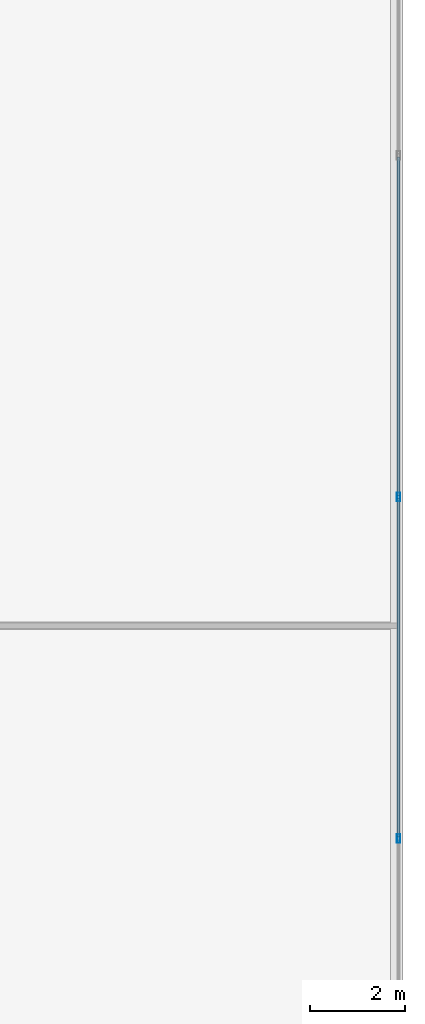
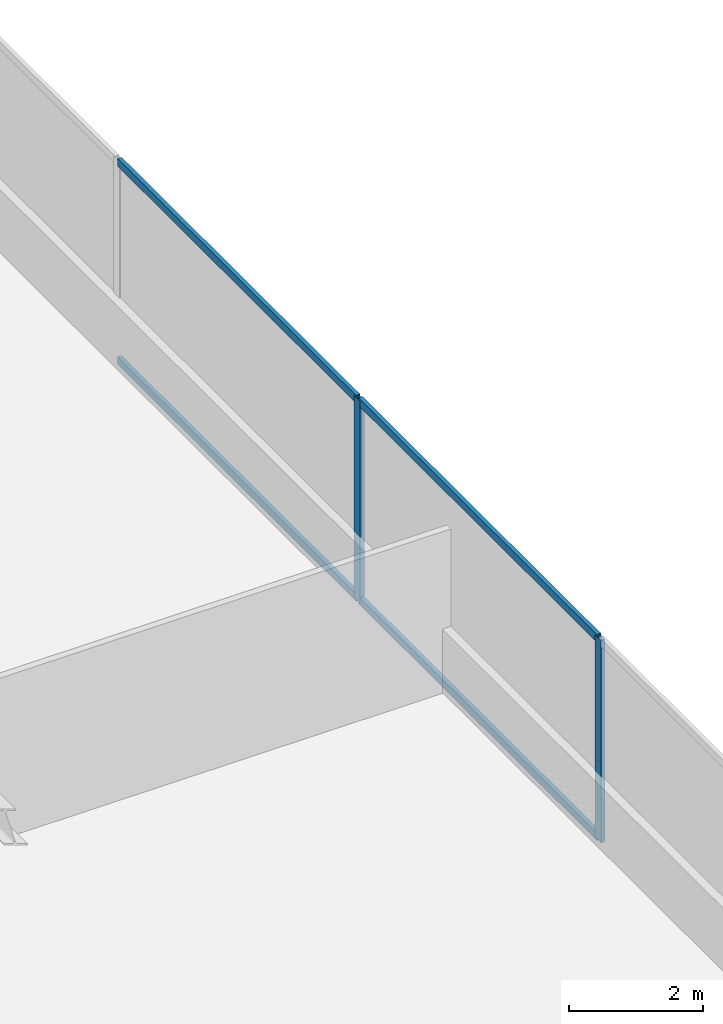
# One storey, part 14 of 30: 6 members, 1 element without a shape of its own.
"""IFC4 building model written with IfcOpenShell, lengths in metres."""

from ifc_helpers import new_model, si_unit, direction, frame, origin, origin_2d, place, context, subcontext, project, spatial, hollow_rectangle, extrude, source, transform, mapped, material, material_profile, profile_set, type_object, type_shapes, element, aggregate, save


model = new_model("IFC4")

# Units and contexts
model_context = context("Model", 3, precision=1e-05, world=origin(), true_north=direction((0.0, 1.0)))
body_context = subcontext(model_context, "Body", "Model", "MODEL_VIEW")
ifc_project = project(units=[si_unit("LENGTHUNIT", "METRE"), si_unit("AREAUNIT", "SQUARE_METRE"), si_unit("VOLUMEUNIT", "CUBIC_METRE"), si_unit("PLANEANGLEUNIT", "RADIAN"), si_unit("MASSUNIT", "GRAM", prefix="KILO")], contexts=[model_context])

# Site, building, storey
site_placement = place(None, origin())
site = spatial("IfcSite", under=ifc_project, at=site_placement, CompositionType="ELEMENT")
building_placement = place(site_placement, origin())
building = spatial("IfcBuilding", under=site, at=building_placement, Name="Krantzveldt Concourse Tower", CompositionType="ELEMENT")
storey_placement = place(building_placement, frame((0.0, 0.0, 25.0)))
storey = spatial("IfcBuildingStorey", under=building, at=storey_placement, Name="L05", CompositionType="ELEMENT", Elevation=25.0)

# Curtain wall, members
ifc_material = material(Name="Anodised aluminium 6063-T6", Category="aluminium")
curtain_wall_type = type_object("IfcCurtainWallType", Name="CW2", PredefinedType="USERDEFINED", material=ifc_material)
curtain_wall_placement = place(storey_placement, origin())
curtain_wall = element("IfcCurtainWall", 1, at=curtain_wall_placement, inside=storey, type_object=curtain_wall_type, Name="CW-L05-F07", ObjectType="UNITISED CURTAIN WALL", PredefinedType="USERDEFINED")
ifc_material_profile_1 = material_profile(ifc_material, hollow_rectangle(XDim=0.070068359375, YDim=0.179931640625, WallThickness=0.0048828125, at=origin_2d()), Name="Anodised aluminium 6063-T6", Category="aluminium")
ifc_profile_set_1 = profile_set([ifc_material_profile_1], Name="Anodised aluminium 6063-T6 - ALU-MULL 180x70x5")
member_type_1 = type_object("IfcMemberType", Name="CW-MUL-180", PredefinedType="MULLION", material=ifc_profile_set_1)
shared_shape_1 = source(origin(), body_context, "Body", "SweptSolid", [
    extrude(hollow_rectangle(XDim=0.070068359375, YDim=0.179931640625, WallThickness=0.0048828125, at=origin_2d()), origin(), (0.0, 0.0, 1.0), 3.669921875),
])
type_shapes(member_type_1, [shared_shape_1])
member_1_placement = place(storey_placement, frame((60.909912109375, 19.533447265625, 0.0), z_axis=(0.0, 0.0, 1.0), x_axis=(-1.0, 0.0, 0.0)))
member_1 = element("IfcMember", 2, at=member_1_placement, type_object=member_type_1, Name="CW-Z12 mullion 3", PredefinedType="MULLION", context=body_context, shape_type="MappedRepresentation", body=[
    mapped(shared_shape_1, transform((0.0, 0.0, 0.0), x_axis=(1.0, 0.0, 0.0), y_axis=(0.0, 1.0, 0.0), z_axis=(0.0, 0.0, 1.0), scale=1.0)),
])
member_2_placement = place(storey_placement, frame((60.909912109375, 26.699951171875, 0.0), z_axis=(0.0, 0.0, 1.0), x_axis=(-1.0, 0.0, 0.0)))
member_2 = element("IfcMember", 3, at=member_2_placement, type_object=member_type_1, Name="CW-Z12 mullion 4", PredefinedType="MULLION", context=body_context, shape_type="MappedRepresentation", body=[
    mapped(shared_shape_1, transform((0.0, 0.0, 0.0), x_axis=(1.0, 0.0, 0.0), y_axis=(0.0, 1.0, 0.0), z_axis=(0.0, 0.0, 1.0), scale=1.0)),
])
ifc_material_profile_2 = material_profile(ifc_material, hollow_rectangle(XDim=0.070068359375, YDim=0.139892578125, WallThickness=0.0048828125, at=origin_2d()), Name="Anodised aluminium 6063-T6", Category="aluminium")
ifc_profile_set_2 = profile_set([ifc_material_profile_2], Name="Anodised aluminium 6063-T6 - ALU-TRAN 140x70x5")
member_type_2 = type_object("IfcMemberType", Name="CW-TRN-150", PredefinedType="USERDEFINED", material=ifc_profile_set_2)
shared_shape_2 = source(origin(), body_context, "Body", "SweptSolid", [
    extrude(hollow_rectangle(XDim=0.070068359375, YDim=0.139892578125, WallThickness=0.0048828125, at=origin_2d()), origin(), (0.0, 0.0, 1.0), 7.0966796875),
])
type_shapes(member_type_2, [shared_shape_2])
member_3_placement = place(storey_placement, frame((60.909912109375, 19.568359375, 0.034912109375), z_axis=(0.0, 1.0, 0.0), x_axis=(-1.0, 0.0, 0.0)))
member_3 = element("IfcMember", 4, at=member_3_placement, type_object=member_type_2, Name="CW-Z12 transom 3.1", ObjectType="TRANSOM", PredefinedType="USERDEFINED", context=body_context, shape_type="MappedRepresentation", body=[
    mapped(shared_shape_2, transform((0.0, 0.0, 0.0), x_axis=(1.0, 0.0, 0.0), y_axis=(0.0, 1.0, 0.0), z_axis=(0.0, 0.0, 1.0), scale=1.0)),
])
member_4_placement = place(storey_placement, frame((60.909912109375, 19.568359375, 3.635009765625), z_axis=(0.0, 1.0, 0.0), x_axis=(-1.0, 0.0, 0.0)))
member_4 = element("IfcMember", 5, at=member_4_placement, type_object=member_type_2, Name="CW-Z12 transom 3.2", ObjectType="TRANSOM", PredefinedType="USERDEFINED", context=body_context, shape_type="MappedRepresentation", body=[
    mapped(shared_shape_2, transform((0.0, 0.0, 0.0), x_axis=(1.0, 0.0, 0.0), y_axis=(0.0, 1.0, 0.0), z_axis=(0.0, 0.0, 1.0), scale=1.0)),
])
member_5_placement = place(storey_placement, frame((60.909912109375, 26.735107421875, 0.034912109375), z_axis=(0.0, 1.0, 0.0), x_axis=(-1.0, 0.0, 0.0)))
member_5 = element("IfcMember", 6, at=member_5_placement, type_object=member_type_2, Name="CW-Z12 transom 4.1", ObjectType="TRANSOM", PredefinedType="USERDEFINED", context=body_context, shape_type="MappedRepresentation", body=[
    mapped(shared_shape_2, transform((0.0, 0.0, 0.0), x_axis=(1.0, 0.0, 0.0), y_axis=(0.0, 1.0, 0.0), z_axis=(0.0, 0.0, 1.0), scale=1.0)),
])
member_6_placement = place(storey_placement, frame((60.909912109375, 26.735107421875, 3.635009765625), z_axis=(0.0, 1.0, 0.0), x_axis=(-1.0, 0.0, 0.0)))
member_6 = element("IfcMember", 7, at=member_6_placement, type_object=member_type_2, Name="CW-Z12 transom 4.2", ObjectType="TRANSOM", PredefinedType="USERDEFINED", context=body_context, shape_type="MappedRepresentation", body=[
    mapped(shared_shape_2, transform((0.0, 0.0, 0.0), x_axis=(1.0, 0.0, 0.0), y_axis=(0.0, 1.0, 0.0), z_axis=(0.0, 0.0, 1.0), scale=1.0)),
])
aggregate(curtain_wall, [member_1, member_2, member_3, member_4, member_5, member_6])

save(model, "model.ifc")
